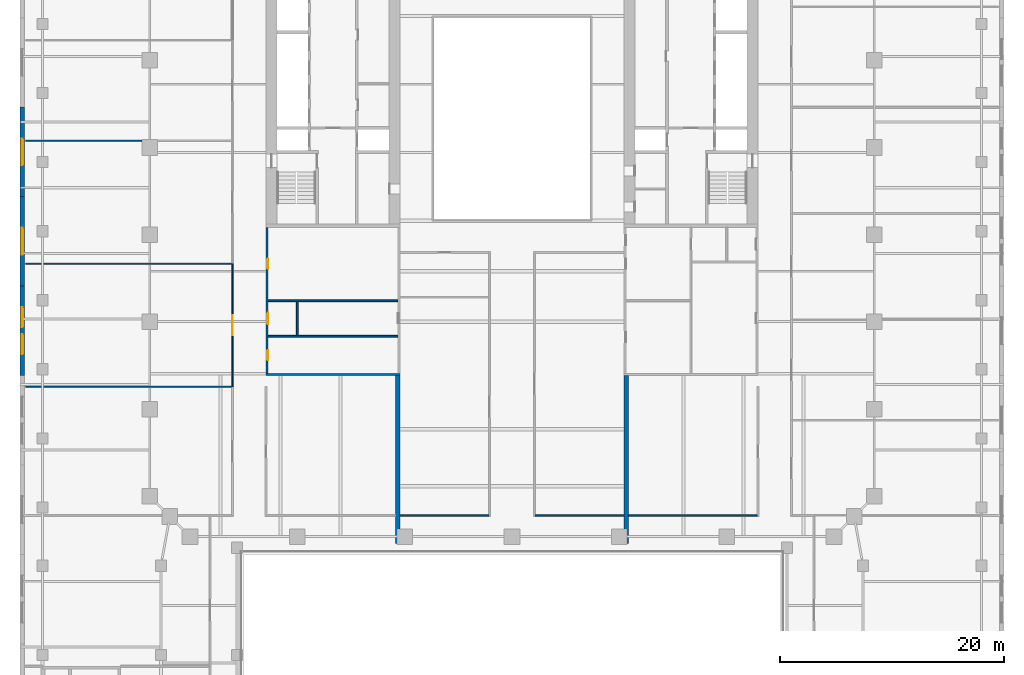
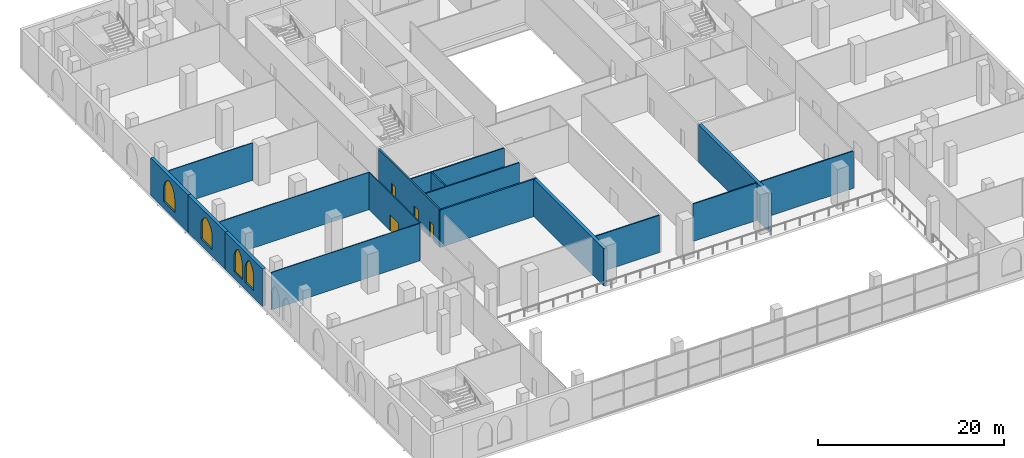
# One storey, part 10 of 22: 17 walls, 4 doors, 4 windows, 8 openings.
"""IFC4 building model written with IfcOpenShell, lengths in metres."""

import ifcopenshell
import ifcopenshell.guid

model = None  # the IFC model being written
_history = None  # IfcOwnerHistory: only IFC2X3 demands one
_inside = {}  # id of a spatial element -> (the spatial element, [elements in it])
_under = {}  # id of a project, library or spatial element -> (it, [spatial elements below it])
_declared = {}  # id of a project -> (the project, [libraries it declares])
_typed = {}  # id of a type object -> (the type object, [elements of that type])
_made_of = {}  # id of a material, layer set ... -> (it, [elements and type objects made of it])


def new_model(schema):
    """Start an empty IFC model of exactly this schema.

    Asked for "IFC4X3", IfcOpenShell would pick the latest addendum, in which some entities
    have other attributes; the version numbers below select the first issue.
    IFC2X3 requires an IfcOwnerHistory on every rooted entity: one is made here for all.
    """
    global model, _history
    if schema == "IFC4X3":
        model = ifcopenshell.file(schema_version=(4, 3, 0, 0))
    else:
        model = ifcopenshell.file(schema=schema)
    _inside.clear()
    _under.clear()
    _declared.clear()
    _typed.clear()
    _made_of.clear()
    _history = None
    if model.schema == "IFC2X3":
        org = make("IfcOrganization", Name="unknown")
        user = make(
            "IfcPersonAndOrganization",
            ThePerson=make("IfcPerson", FamilyName="unknown"),
            TheOrganization=org,
        )
        app = make(
            "IfcApplication",
            ApplicationDeveloper=org,
            Version="unknown",
            ApplicationFullName="unknown",
            ApplicationIdentifier="unknown",
        )
        _history = make(
            "IfcOwnerHistory",
            OwningUser=user,
            OwningApplication=app,
            ChangeAction="ADDED",
            CreationDate=0,
        )
    return model


def make(cls, **values):
    """One entity of the class cls with the attributes given. An attribute that is None is left unset."""
    return model.create_entity(
        cls, **{name: value for name, value in values.items() if value is not None}
    )


def rooted(cls, **values):
    """An entity with a GlobalId (a new one), such as an element, a storey or a relation."""
    return make(cls, GlobalId=ifcopenshell.guid.new(), OwnerHistory=_history, **values)


def si_unit(unit_type, name, prefix=None):
    """IfcSIUnit, for example si_unit("LENGTHUNIT", "METRE", prefix="MILLI")."""
    return make("IfcSIUnit", UnitType=unit_type, Prefix=prefix, Name=name)


def assignment(units):
    """IfcUnitAssignment: the units of a project."""
    return None if units is None else make("IfcUnitAssignment", Units=units)


def point(xyz):
    """IfcCartesianPoint."""
    return None if xyz is None else make("IfcCartesianPoint", Coordinates=xyz)


def direction(xyz):
    """IfcDirection."""
    return None if xyz is None else make("IfcDirection", DirectionRatios=xyz)


def frame(location, z_axis=None, x_axis=None):
    """IfcAxis2Placement3D, a coordinate frame: its origin and axes. An axis left out is left unset."""
    return make(
        "IfcAxis2Placement3D",
        Location=point(location),
        Axis=direction(z_axis),
        RefDirection=direction(x_axis),
    )


def frame_2d(location, x_axis=None):
    """IfcAxis2Placement2D, a coordinate frame in the plane: its origin and x axis."""
    return make(
        "IfcAxis2Placement2D", Location=point(location), RefDirection=direction(x_axis)
    )


def origin():
    """The frame at (0, 0, 0) with its axes left unset."""
    return frame((0.0, 0.0, 0.0))


def place(relative_to, where):
    """IfcLocalPlacement: puts the frame where relative to a parent placement (None: the world)."""
    return make(
        "IfcLocalPlacement", PlacementRelTo=relative_to, RelativePlacement=where
    )


def context(
    kind, dimensions, precision=None, world=None, true_north=None, identifier=None
):
    """IfcGeometricRepresentationContext, for example the 3D "Model" context."""
    return make(
        "IfcGeometricRepresentationContext",
        ContextIdentifier=identifier,
        ContextType=kind,
        CoordinateSpaceDimension=dimensions,
        Precision=precision,
        WorldCoordinateSystem=world,
        TrueNorth=true_north,
    )


def subcontext(parent, identifier, kind, view, scale=None):
    """IfcGeometricRepresentationSubContext, for example "Body" below "Model"."""
    return make(
        "IfcGeometricRepresentationSubContext",
        ContextIdentifier=identifier,
        ContextType=kind,
        ParentContext=parent,
        TargetScale=scale,
        TargetView=view,
    )


def project(units=None, contexts=None):
    """IfcProject with its units and contexts."""
    return rooted(
        "IfcProject",
        Name="project",
        RepresentationContexts=contexts,
        UnitsInContext=assignment(units),
    )


def spatial(cls, under=None, at=None, **own):
    """A site, building, storey or space (cls), placed at a placement, below another one or the project."""
    s = rooted(cls, ObjectPlacement=at, **own)
    if under is not None:
        _under.setdefault(under.id(), (under, []))[1].append(s)
    return s


def polyline(points):
    """IfcPolyline through the points."""
    return make("IfcPolyline", Points=[point(p) for p in points])


def profile(cls, at=None, kind="AREA", **sizes):
    """A parametric profile (cls). Its sizes go by their IFC names, for example OverallWidth=200.0."""
    return make(cls, ProfileType=kind, Position=at, **sizes)


def rectangle(**sizes):
    """IfcRectangleProfileDef."""
    return profile("IfcRectangleProfileDef", **sizes)


def outline(outer, holes=None, kind="AREA"):
    """IfcArbitraryClosedProfileDef: a profile drawn as a closed curve; with holes, ...WithVoids."""
    if holes is None:
        return make("IfcArbitraryClosedProfileDef", ProfileType=kind, OuterCurve=outer)
    return make(
        "IfcArbitraryProfileDefWithVoids",
        ProfileType=kind,
        OuterCurve=outer,
        InnerCurves=holes,
    )


def extrude(swept, where, along, depth):
    """IfcExtrudedAreaSolid: the profile swept, set in the frame where, extruded along a direction by depth."""
    return make(
        "IfcExtrudedAreaSolid",
        SweptArea=swept,
        Position=where,
        ExtrudedDirection=direction(along),
        Depth=depth,
    )


def shape(context_of_items, identifier, shape_type, items):
    """IfcShapeRepresentation: the items that make up one representation, for example the "Body"."""
    return make(
        "IfcShapeRepresentation",
        ContextOfItems=context_of_items,
        RepresentationIdentifier=identifier,
        RepresentationType=shape_type,
        Items=items,
    )


def material(Name=None, Category=None):
    """IfcMaterial."""
    return make("IfcMaterial", Name=Name, Category=Category)


def layer(
    of_material, thickness, ventilated=None, Name=None, Category=None, Priority=None
):
    """IfcMaterialLayer: one layer of a wall or slab, of a material (None: an air gap)."""
    return make(
        "IfcMaterialLayer",
        Material=of_material,
        LayerThickness=thickness,
        IsVentilated=ventilated,
        Name=Name,
        Category=Category,
        Priority=Priority,
    )


def layer_set(layers, Name=None):
    """IfcMaterialLayerSet."""
    return make("IfcMaterialLayerSet", MaterialLayers=layers, LayerSetName=Name)


def made_of(thing, what):
    """Note that an element or type object is made of a material, layer set ...; save() writes the relation."""
    if what is not None:
        _made_of.setdefault(what.id(), (what, []))[1].append(thing)
    return thing


def type_object(cls, material=None, **own):
    """A type object (cls), such as IfcWallType, which elements share."""
    return made_of(rooted(cls, **own), material)


def element(
    cls,
    number,
    at=None,
    inside=None,
    cuts=None,
    type_object=None,
    material=None,
    context=None,
    identifier="Body",
    shape_type=None,
    held_by="IfcProductDefinitionShape",
    body=None,
    shapes=None,
    **own,
):
    """One element of the class cls, such as IfcWall. Its Tag is "e" and its number.

    at: its placement. inside: the storey or other place that contains it. cuts: it is an
    opening in that element (IfcRelVoidsElement). A single representation is given by context,
    identifier, shape_type and body (its items); several are given by shapes. held_by: the class
    of the entity that holds the representations. save() writes the other relations.
    """
    e = rooted(cls, Tag="e%d" % number, ObjectPlacement=at, **own)
    if body is not None:
        shapes = [shape(context, identifier, shape_type, body)]
    if shapes is not None:
        e.Representation = make(held_by, Representations=shapes)
    if inside is not None:
        _inside.setdefault(inside.id(), (inside, []))[1].append(e)
    if cuts is not None:
        rooted(
            "IfcRelVoidsElement", RelatingBuildingElement=cuts, RelatedOpeningElement=e
        )
    if type_object is not None:
        _typed.setdefault(type_object.id(), (type_object, []))[1].append(e)
    return made_of(e, material)


def fill(opening, filler):
    """IfcRelFillsElement: the door or window that sits in an opening."""
    return rooted(
        "IfcRelFillsElement",
        RelatingOpeningElement=opening,
        RelatedBuildingElement=filler,
    )


def aggregate(whole, parts):
    """IfcRelAggregates: a whole, such as a stair, and the parts it consists of."""
    return rooted("IfcRelAggregates", RelatingObject=whole, RelatedObjects=parts)


def save(model, path):
    """Write the relations noted so far, then the file.

    IfcRelAggregates (storeys below a building ...), IfcRelContainedInSpatialStructure (elements
    in a storey), IfcRelDefinesByType, IfcRelAssociatesMaterial and IfcRelDeclares: one each for
    every whole, place, type object, material and project.
    """
    for whole, parts in _under.values():
        aggregate(whole, parts)
    for where, things in _inside.values():
        rooted(
            "IfcRelContainedInSpatialStructure",
            RelatedElements=things,
            RelatingStructure=where,
        )
    for kind, things in _typed.values():
        rooted("IfcRelDefinesByType", RelatedObjects=things, RelatingType=kind)
    for what, things in _made_of.values():
        rooted("IfcRelAssociatesMaterial", RelatedObjects=things, RelatingMaterial=what)
    for by, libraries in _declared.values():
        rooted("IfcRelDeclares", RelatingContext=by, RelatedDefinitions=libraries)
    model.write(path)


model = new_model("IFC4")

# Units and contexts
model_context = context("Model", 3, precision=1e-05, world=origin(), true_north=direction((0.0, 1.0)))
body_context = subcontext(model_context, "Body", "Model", "MODEL_VIEW")
ifc_project = project(units=[si_unit("LENGTHUNIT", "METRE"), si_unit("AREAUNIT", "SQUARE_METRE"), si_unit("VOLUMEUNIT", "CUBIC_METRE"), si_unit("PLANEANGLEUNIT", "RADIAN"), si_unit("MASSUNIT", "GRAM", prefix="KILO")], contexts=[model_context])

# Site, building, storey
site_placement = place(None, origin())
site = spatial("IfcSite", under=ifc_project, at=site_placement, CompositionType="ELEMENT")
building_placement = place(site_placement, origin())
building = spatial("IfcBuilding", under=site, at=building_placement, Name="Ogive Exchange Tower", CompositionType="ELEMENT")
storey_placement = place(building_placement, frame((0.0, 0.0, 14.0)))
storey = spatial("IfcBuildingStorey", under=building, at=storey_placement, Name="L02", CompositionType="ELEMENT", Elevation=14.0)

# Walls
ifc_material_1 = material(Name="Concrete C70/85", Category="concrete")
ifc_layer_1 = layer(ifc_material_1, 0.39990234375)
ifc_layer_set_1 = layer_set([ifc_layer_1], Name="Concrete C70/85 spine wall 400")
wall_type_1 = type_object("IfcWallType", Name="Concrete C70/85 spine wall 400", PredefinedType="SHEAR", material=ifc_layer_set_1)
for number, where, z_axis, x_axis, name in (
    (1, (-10.199951171875, -31.0, 0.0), (0.0, 0.0, 1.0), (0.0, 1.0, 0.0), "Spine wall SW"),
    (2, (10.199951171875, -31.0, 0.0), (0.0, 0.0, 1.0), (0.0, 1.0, 0.0), "Spine wall SE"),
):
    element("IfcWall", number, at=place(storey_placement, frame(where, z_axis=z_axis, x_axis=x_axis)), inside=storey, type_object=wall_type_1, Name=name, PredefinedType="SHEAR", context=body_context, shape_type="SweptSolid", body=[
        extrude(rectangle(XDim=15.0, YDim=0.39990234375, at=frame_2d((7.5, 0.0))), origin(), (0.0, 0.0, 1.0), 4.89990234375),
    ])
ifc_material_2 = material(Name="Gypsum board partition")
ifc_layer_2 = layer(ifc_material_2, 0.14990234375)
ifc_layer_set_2 = layer_set([ifc_layer_2], Name="Core room partition 150 gypsum")
wall_type_2 = type_object("IfcWallType", Name="Core room partition 150 gypsum", PredefinedType="PARTITIONING", material=ifc_layer_set_2)
for number, where, z_axis, x_axis, name in (
    (3, (-21.800048828125, -9.300048828125, 0.0), (0.0, 0.0, 1.0), (1.0, 0.0, 0.0), "W annex S cross wall"),
    (4, (-21.800048828125, -12.47509765625, 0.0), (0.0, 0.0, 1.0), (1.0, 0.0, 0.0), "W annex S wc strip wall 00"),
):
    element("IfcWall", number, at=place(storey_placement, frame(where, z_axis=z_axis, x_axis=x_axis)), inside=storey, type_object=wall_type_2, Name=name, PredefinedType="PARTITIONING", context=body_context, shape_type="SweptSolid", body=[
        extrude(rectangle(XDim=11.60009765625, YDim=0.14990234375, at=frame_2d((5.800048828125, 0.0))), origin(), (0.0, 0.0, 1.0), 4.89990234375),
    ])
wall_1_placement = place(storey_placement, frame((-19.199951171875, -12.39990234375, 0.0), z_axis=(0.0, 0.0, 1.0), x_axis=(0.0, 1.0, 0.0)))
element("IfcWall", 5, at=wall_1_placement, inside=storey, type_object=wall_type_2, Name="W annex S wc partition 00", PredefinedType="PARTITIONING", context=body_context, shape_type="SweptSolid", body=[
    extrude(rectangle(XDim=3.02490234375, YDim=0.14990234375, at=frame_2d((1.512451171875, 0.0))), origin(), (0.0, 0.0, 1.0), 4.89990234375),
])
ifc_material_3 = material(Name="Fire partition EI 60 150")
ifc_layer_3 = layer(ifc_material_3, 0.14990234375)
ifc_layer_set_3 = layer_set([ifc_layer_3], Name="Fire partition EI 60 150")
wall_type_3 = type_object("IfcWallType", Name="Fire partition EI 60 150", PredefinedType="PARTITIONING", material=ifc_layer_set_3)
for number, where, z_axis, x_axis, name in (
    (6, (-10.0, -28.5, 0.0), (0.0, 0.0, 1.0), (1.0, 0.0, 0.0), "L02-PWL-009"),
    (7, (2.074951171875, -28.5, 0.0), (0.0, 0.0, 1.0), (1.0, 0.0, 0.0), "L02-PWL-010"),
):
    element("IfcWall", number, at=place(storey_placement, frame(where, z_axis=z_axis, x_axis=x_axis)), inside=storey, type_object=wall_type_3, Name=name, PredefinedType="PARTITIONING", context=body_context, shape_type="SweptSolid", body=[
        extrude(rectangle(XDim=7.925048828125, YDim=0.14990234375, at=frame_2d((3.96240234375, 0.0))), origin(), (0.0, 0.0, 1.0), 4.89990234375),
    ])
wall_2_placement = place(storey_placement, frame((10.39990234375, -28.5, 0.0), z_axis=(0.0, 0.0, 1.0), x_axis=(1.0, 0.0, 0.0)))
element("IfcWall", 8, at=wall_2_placement, inside=storey, type_object=wall_type_3, Name="L02-PWL-011", PredefinedType="PARTITIONING", context=body_context, shape_type="SweptSolid", body=[
    extrude(rectangle(XDim=11.525146484375, YDim=0.14990234375, at=frame_2d((5.7626953125, 0.0))), origin(), (0.0, 0.0, 1.0), 4.89990234375),
])

# Wall, opening, door
ifc_material_4 = material(Name="Glazed fire partition EI 60 120")
ifc_layer_4 = layer(ifc_material_4, 0.1201171875)
ifc_layer_set_4 = layer_set([ifc_layer_4], Name="Glazed fire partition EI 60 120")
wall_type_4 = type_object("IfcWallType", Name="Glazed fire partition EI 60 120", PredefinedType="PARTITIONING", material=ifc_layer_set_4)
wall_3_placement = place(storey_placement, frame((-25.0, -17.0, 0.0), z_axis=(0.0, 0.0, 1.0), x_axis=(0.0, 1.0, 0.0)))
wall_3 = element("IfcWall", 9, at=wall_3_placement, inside=storey, type_object=wall_type_4, Name="L02-PWL-042", PredefinedType="PARTITIONING", context=body_context, shape_type="SweptSolid", body=[
    extrude(rectangle(XDim=11.0, YDim=0.1201171875, at=frame_2d((5.5, 0.0))), origin(), (0.0, 0.0, 1.0), 4.89990234375),
])
opening_1_placement = place(wall_3_placement, frame((4.60009765625, 0.0, 0.0)))
opening_1 = element("IfcOpeningElement", 10, at=opening_1_placement, cuts=wall_3, Name="Opening L02-I04", PredefinedType="OPENING", context=body_context, shape_type="SweptSolid", body=[
    extrude(rectangle(XDim=1.800048828125, YDim=2.10009765625, at=frame_2d((0.89990234375, 1.050048828125))), frame((0.0, 0.070068359375, 0.0), z_axis=(0.0, -1.0, 0.0), x_axis=(1.0, 0.0, 0.0)), (0.0, 0.0, 1.0), 0.14013671875),
])
ifc_material_5 = material(Name="Fire door FD 30S 1800 x 2100")
door_type_1 = type_object("IfcDoorType", Name="Fire door FD 30S 1800 x 2100", OperationType="DOUBLE_DOOR_SINGLE_SWING", PredefinedType="DOOR", material=ifc_material_5)
door_1_placement = place(opening_1_placement, origin())
door_1 = element("IfcDoor", 11, at=door_1_placement, inside=storey, type_object=door_type_1, Name="L02-IDR-004", ObjectType="DT4", OperationType="SINGLE_SWING_RIGHT", OverallHeight=2.10009765625, OverallWidth=1.800048828125, PredefinedType="DOOR", context=body_context, shape_type="SweptSolid", body=[
    extrude(rectangle(XDim=1.800048828125, YDim=2.10009765625, at=frame_2d((0.89990234375, 1.050048828125))), frame((0.0, 0.02490234375, 0.0), z_axis=(0.0, -1.0, 0.0), x_axis=(1.0, 0.0, 0.0)), (0.0, 0.0, 1.0), 0.050048828125),
])
fill(opening_1, door_1)

# Wall, opening, window
ifc_material_6 = material(Name="Precast concrete C40/50", Category="concrete")
ifc_layer_5 = layer(ifc_material_6, 0.39990234375)
ifc_layer_set_5 = layer_set([ifc_layer_5], Name="Limestone-faced wall 400")
wall_type_5 = type_object("IfcWallType", Name="Limestone-faced wall 400", PredefinedType="STANDARD", material=ifc_layer_set_5)
wall_4_placement = place(storey_placement, frame((-43.800048828125, 8.0, 0.0), z_axis=(0.0, 0.0, 1.0), x_axis=(0.0, -1.0, 0.0)))
wall_4 = element("IfcWall", 12, at=wall_4_placement, inside=storey, type_object=wall_type_5, Name="Podium wall W5", PredefinedType="STANDARD", context=body_context, shape_type="SweptSolid", body=[
    extrude(rectangle(XDim=8.0, YDim=0.39990234375, at=frame_2d((4.0, 0.0))), origin(), (0.0, 0.0, 1.0), 4.89990234375),
])
opening_2_placement = place(wall_4_placement, frame((2.800048828125, 0.0, 0.89990234375)))
opening_2 = element("IfcOpeningElement", 13, at=opening_2_placement, cuts=wall_4, Name="Opening WP340", PredefinedType="OPENING", context=body_context, shape_type="SweptSolid", body=[
    extrude(outline(polyline([(0.0, 0.0), (2.39990234375, 0.0), (2.39990234375, 1.699951171875), (2.378662109375, 1.97607421875), (2.3154296875, 2.24560546875), (2.211669921875, 2.50244140625), (2.069580078125, 2.740234375), (1.89306640625, 2.95361328125), (1.685791015625, 3.137451171875), (1.453125, 3.287353515625), (1.199951171875, 3.39990234375), (0.94677734375, 3.287353515625), (0.714111328125, 3.137451171875), (0.5068359375, 2.95361328125), (0.330322265625, 2.740234375), (0.188232421875, 2.50244140625), (0.08447265625, 2.24560546875), (0.021240234375, 1.97607421875), (0.0, 1.699951171875), (0.0, 0.0)])), frame((0.0, 0.2099609375, 0.0), z_axis=(0.0, -1.0, 0.0), x_axis=(1.0, 0.0, 0.0)), (0.0, 0.0, 1.0), 0.419921875),
])
ifc_material_7 = material(Name="Clear glass in bronze frame", Category="glass")
window_type_1 = type_object("IfcWindowType", Name="Podium lancet window 2400 x 3400", PartitioningType="DOUBLE_PANEL_VERTICAL", PredefinedType="WINDOW", material=ifc_material_7)
window_1_placement = place(opening_2_placement, origin())
window_1 = element("IfcWindow", 14, at=window_1_placement, inside=storey, type_object=window_type_1, Name="Podium window W5", OverallHeight=3.39990234375, OverallWidth=2.39990234375, PartitioningType="DOUBLE_PANEL_VERTICAL", PredefinedType="WINDOW", context=body_context, shape_type="SweptSolid", body=[
    extrude(outline(polyline([(0.0, 0.0), (2.39990234375, 0.0), (2.39990234375, 1.699951171875), (2.378662109375, 1.97607421875), (2.3154296875, 2.24560546875), (2.211669921875, 2.50244140625), (2.069580078125, 2.740234375), (1.89306640625, 2.95361328125), (1.685791015625, 3.137451171875), (1.453125, 3.287353515625), (1.199951171875, 3.39990234375), (0.94677734375, 3.287353515625), (0.714111328125, 3.137451171875), (0.5068359375, 2.95361328125), (0.330322265625, 2.740234375), (0.188232421875, 2.50244140625), (0.08447265625, 2.24560546875), (0.021240234375, 1.97607421875), (0.0, 1.699951171875), (0.0, 0.0)])), frame((0.0, 0.030029296875, 0.0), z_axis=(0.0, -1.0, 0.0), x_axis=(1.0, 0.0, 0.0)), (0.0, 0.0, 1.0), 0.06005859375),
])
fill(opening_2, window_1)

wall_5_placement = place(storey_placement, frame((-43.800048828125, 0.0, 0.0), z_axis=(0.0, 0.0, 1.0), x_axis=(0.0, -1.0, 0.0)))
wall_5 = element("IfcWall", 15, at=wall_5_placement, inside=storey, type_object=wall_type_5, Name="Podium wall W6", PredefinedType="STANDARD", context=body_context, shape_type="SweptSolid", body=[
    extrude(rectangle(XDim=8.0, YDim=0.39990234375, at=frame_2d((4.0, 0.0))), origin(), (0.0, 0.0, 1.0), 4.89990234375),
])
opening_3_placement = place(wall_5_placement, frame((2.800048828125, 0.0, 0.89990234375)))
opening_3 = element("IfcOpeningElement", 16, at=opening_3_placement, cuts=wall_5, Name="Opening WP340", PredefinedType="OPENING", context=body_context, shape_type="SweptSolid", body=[
    extrude(outline(polyline([(0.0, 0.0), (2.39990234375, 0.0), (2.39990234375, 1.699951171875), (2.378662109375, 1.97607421875), (2.3154296875, 2.24560546875), (2.211669921875, 2.50244140625), (2.069580078125, 2.740234375), (1.89306640625, 2.95361328125), (1.685791015625, 3.137451171875), (1.453125, 3.287353515625), (1.199951171875, 3.39990234375), (0.94677734375, 3.287353515625), (0.714111328125, 3.137451171875), (0.5068359375, 2.95361328125), (0.330322265625, 2.740234375), (0.188232421875, 2.50244140625), (0.08447265625, 2.24560546875), (0.021240234375, 1.97607421875), (0.0, 1.699951171875), (0.0, 0.0)])), frame((0.0, 0.2099609375, 0.0), z_axis=(0.0, -1.0, 0.0), x_axis=(1.0, 0.0, 0.0)), (0.0, 0.0, 1.0), 0.419921875),
])
window_2_placement = place(opening_3_placement, origin())
window_2 = element("IfcWindow", 17, at=window_2_placement, inside=storey, type_object=window_type_1, Name="Podium window W6", OverallHeight=3.39990234375, OverallWidth=2.39990234375, PartitioningType="DOUBLE_PANEL_VERTICAL", PredefinedType="WINDOW", context=body_context, shape_type="SweptSolid", body=[
    extrude(outline(polyline([(0.0, 0.0), (2.39990234375, 0.0), (2.39990234375, 1.699951171875), (2.378662109375, 1.97607421875), (2.3154296875, 2.24560546875), (2.211669921875, 2.50244140625), (2.069580078125, 2.740234375), (1.89306640625, 2.95361328125), (1.685791015625, 3.137451171875), (1.453125, 3.287353515625), (1.199951171875, 3.39990234375), (0.94677734375, 3.287353515625), (0.714111328125, 3.137451171875), (0.5068359375, 2.95361328125), (0.330322265625, 2.740234375), (0.188232421875, 2.50244140625), (0.08447265625, 2.24560546875), (0.021240234375, 1.97607421875), (0.0, 1.699951171875), (0.0, 0.0)])), frame((0.0, 0.030029296875, 0.0), z_axis=(0.0, -1.0, 0.0), x_axis=(1.0, 0.0, 0.0)), (0.0, 0.0, 1.0), 0.06005859375),
])
fill(opening_3, window_2)

# Wall, openings, windows
wall_6_placement = place(storey_placement, frame((-43.800048828125, -8.0, 0.0), z_axis=(0.0, 0.0, 1.0), x_axis=(0.0, -1.0, 0.0)))
wall_6 = element("IfcWall", 18, at=wall_6_placement, inside=storey, type_object=wall_type_5, Name="Podium wall W7", PredefinedType="STANDARD", context=body_context, shape_type="SweptSolid", body=[
    extrude(rectangle(XDim=8.0, YDim=0.39990234375, at=frame_2d((4.0, 0.0))), origin(), (0.0, 0.0, 1.0), 4.89990234375),
])
opening_4_placement = place(wall_6_placement, frame((1.89990234375, 0.0, 0.89990234375)))
opening_4 = element("IfcOpeningElement", 19, at=opening_4_placement, cuts=wall_6, Name="Opening WQ340", PredefinedType="OPENING", context=body_context, shape_type="SweptSolid", body=[
    extrude(outline(polyline([(0.0, 0.0), (1.800048828125, 0.0), (1.800048828125, 1.841064453125), (1.78466796875, 2.075927734375), (1.73876953125, 2.306884765625), (1.6630859375, 2.52978515625), (1.558837890625, 2.740966796875), (1.427978515625, 2.936767578125), (1.272705078125, 3.11376953125), (1.095703125, 3.26904296875), (0.89990234375, 3.39990234375), (0.704345703125, 3.26904296875), (0.52734375, 3.11376953125), (0.3720703125, 2.936767578125), (0.2412109375, 2.740966796875), (0.136962890625, 2.52978515625), (0.061279296875, 2.306884765625), (0.015380859375, 2.075927734375), (0.0, 1.841064453125), (0.0, 0.0)])), frame((0.0, 0.2099609375, 0.0), z_axis=(0.0, -1.0, 0.0), x_axis=(1.0, 0.0, 0.0)), (0.0, 0.0, 1.0), 0.419921875),
])
opening_5_placement = place(wall_6_placement, frame((4.300048828125, 0.0, 0.89990234375)))
opening_5 = element("IfcOpeningElement", 20, at=opening_5_placement, cuts=wall_6, Name="Opening WQ340", PredefinedType="OPENING", context=body_context, shape_type="SweptSolid", body=[
    extrude(outline(polyline([(0.0, 0.0), (1.800048828125, 0.0), (1.800048828125, 1.841064453125), (1.78466796875, 2.075927734375), (1.73876953125, 2.306884765625), (1.6630859375, 2.52978515625), (1.558837890625, 2.740966796875), (1.427978515625, 2.936767578125), (1.272705078125, 3.11376953125), (1.095703125, 3.26904296875), (0.89990234375, 3.39990234375), (0.704345703125, 3.26904296875), (0.52734375, 3.11376953125), (0.3720703125, 2.936767578125), (0.2412109375, 2.740966796875), (0.136962890625, 2.52978515625), (0.061279296875, 2.306884765625), (0.015380859375, 2.075927734375), (0.0, 1.841064453125), (0.0, 0.0)])), frame((0.0, 0.2099609375, 0.0), z_axis=(0.0, -1.0, 0.0), x_axis=(1.0, 0.0, 0.0)), (0.0, 0.0, 1.0), 0.419921875),
])
window_type_2 = type_object("IfcWindowType", Name="Podium paired lancet 1800 x 3400", PartitioningType="DOUBLE_PANEL_VERTICAL", PredefinedType="WINDOW", material=ifc_material_7)
window_3_placement = place(opening_4_placement, origin())
window_3 = element("IfcWindow", 21, at=window_3_placement, inside=storey, type_object=window_type_2, Name="Podium paired lancet W7.1", OverallHeight=3.39990234375, OverallWidth=1.800048828125, PartitioningType="DOUBLE_PANEL_VERTICAL", PredefinedType="WINDOW", context=body_context, shape_type="SweptSolid", body=[
    extrude(outline(polyline([(0.0, 0.0), (1.800048828125, 0.0), (1.800048828125, 1.841064453125), (1.78466796875, 2.075927734375), (1.73876953125, 2.306884765625), (1.6630859375, 2.52978515625), (1.558837890625, 2.740966796875), (1.427978515625, 2.936767578125), (1.272705078125, 3.11376953125), (1.095703125, 3.26904296875), (0.89990234375, 3.39990234375), (0.704345703125, 3.26904296875), (0.52734375, 3.11376953125), (0.3720703125, 2.936767578125), (0.2412109375, 2.740966796875), (0.136962890625, 2.52978515625), (0.061279296875, 2.306884765625), (0.015380859375, 2.075927734375), (0.0, 1.841064453125), (0.0, 0.0)])), frame((0.0, 0.030029296875, 0.0), z_axis=(0.0, -1.0, 0.0), x_axis=(1.0, 0.0, 0.0)), (0.0, 0.0, 1.0), 0.06005859375),
])
fill(opening_4, window_3)
window_4_placement = place(opening_5_placement, origin())
window_4 = element("IfcWindow", 22, at=window_4_placement, inside=storey, type_object=window_type_2, Name="Podium paired lancet W7.2", OverallHeight=3.39990234375, OverallWidth=1.800048828125, PartitioningType="DOUBLE_PANEL_VERTICAL", PredefinedType="WINDOW", context=body_context, shape_type="SweptSolid", body=[
    extrude(outline(polyline([(0.0, 0.0), (1.800048828125, 0.0), (1.800048828125, 1.841064453125), (1.78466796875, 2.075927734375), (1.73876953125, 2.306884765625), (1.6630859375, 2.52978515625), (1.558837890625, 2.740966796875), (1.427978515625, 2.936767578125), (1.272705078125, 3.11376953125), (1.095703125, 3.26904296875), (0.89990234375, 3.39990234375), (0.704345703125, 3.26904296875), (0.52734375, 3.11376953125), (0.3720703125, 2.936767578125), (0.2412109375, 2.740966796875), (0.136962890625, 2.52978515625), (0.061279296875, 2.306884765625), (0.015380859375, 2.075927734375), (0.0, 1.841064453125), (0.0, 0.0)])), frame((0.0, 0.030029296875, 0.0), z_axis=(0.0, -1.0, 0.0), x_axis=(1.0, 0.0, 0.0)), (0.0, 0.0, 1.0), 0.06005859375),
])
fill(opening_5, window_4)

# Walls
ifc_material_8 = material(Name="Partition 100 gypsum")
ifc_layer_6 = layer(ifc_material_8, 0.10009765625)
ifc_layer_set_6 = layer_set([ifc_layer_6], Name="Partition 100 gypsum")
wall_type_6 = type_object("IfcWallType", Name="Partition 100 gypsum", PredefinedType="PARTITIONING", material=ifc_layer_set_6)
wall_7_placement = place(storey_placement, frame((-43.5, -17.0, 0.0), z_axis=(0.0, 0.0, 1.0), x_axis=(1.0, 0.0, 0.0)))
element("IfcWall", 23, at=wall_7_placement, inside=storey, type_object=wall_type_6, Name="L02-PWL-016", PredefinedType="PARTITIONING", context=body_context, shape_type="SweptSolid", body=[
    extrude(rectangle(XDim=18.425048828125, YDim=0.10009765625, at=frame_2d((9.21240234375, 0.0))), origin(), (0.0, 0.0, 1.0), 4.89990234375),
])
wall_8_placement = place(storey_placement, frame((-43.5, -6.0, 0.0), z_axis=(0.0, 0.0, 1.0), x_axis=(1.0, 0.0, 0.0)))
element("IfcWall", 24, at=wall_8_placement, inside=storey, type_object=wall_type_6, Name="L02-PWL-020", PredefinedType="PARTITIONING", context=body_context, shape_type="SweptSolid", body=[
    extrude(rectangle(XDim=18.43994140625, YDim=0.10009765625, at=frame_2d((9.219970703125, 0.0))), origin(), (0.0, 0.0, 1.0), 4.89990234375),
])
wall_9_placement = place(storey_placement, frame((-43.5, 5.0, 0.0), z_axis=(0.0, 0.0, 1.0), x_axis=(1.0, 0.0, 0.0)))
element("IfcWall", 25, at=wall_9_placement, inside=storey, type_object=wall_type_6, Name="L02-PWL-024", PredefinedType="PARTITIONING", context=body_context, shape_type="SweptSolid", body=[
    extrude(rectangle(XDim=10.39990234375, YDim=0.10009765625, at=frame_2d((5.199951171875, 0.0))), origin(), (0.0, 0.0, 1.0), 4.89990234375),
])

# Wall, openings, doors
ifc_layer_7 = layer(ifc_material_1, 0.199951171875)
ifc_layer_set_7 = layer_set([ifc_layer_7], Name="RC core wall 200 C70/85")
wall_type_7 = type_object("IfcWallType", Name="RC core wall 200 C70/85", PredefinedType="SHEAR", material=ifc_layer_set_7)
wall_10_placement = place(storey_placement, frame((-21.89990234375, -15.800048828125, 0.0), z_axis=(0.0, 0.0, 1.0), x_axis=(0.0, 1.0, 0.0)))
wall_10 = element("IfcWall", 26, at=wall_10_placement, inside=storey, type_object=wall_type_7, Name="W annex S outer wall", PredefinedType="SHEAR", context=body_context, shape_type="SweptSolid", body=[
    extrude(rectangle(XDim=13.050048828125, YDim=0.199951171875, at=frame_2d((6.52490234375, 0.0))), origin(), (0.0, 0.0, 1.0), 4.89990234375),
])
opening_6_placement = place(wall_10_placement, frame((1.175048828125, 0.0, 0.0)))
opening_6 = element("IfcOpeningElement", 27, at=opening_6_placement, cuts=wall_10, Name="Opening L02-C18", PredefinedType="OPENING", context=body_context, shape_type="SweptSolid", body=[
    extrude(rectangle(XDim=0.89990234375, YDim=2.10009765625, at=frame_2d((0.449951171875, 1.050048828125))), frame((0.0, 0.10986328125, 0.0), z_axis=(0.0, -1.0, 0.0), x_axis=(1.0, 0.0, 0.0)), (0.0, 0.0, 1.0), 0.219970703125),
])
opening_7_placement = place(wall_10_placement, frame((4.41259765625, 0.0, 0.0)))
opening_7 = element("IfcOpeningElement", 28, at=opening_7_placement, cuts=wall_10, Name="Opening L02-C19", PredefinedType="OPENING", context=body_context, shape_type="SweptSolid", body=[
    extrude(rectangle(XDim=1.0, YDim=2.10009765625, at=frame_2d((0.5, 1.050048828125))), frame((0.0, 0.10986328125, 0.0), z_axis=(0.0, -1.0, 0.0), x_axis=(1.0, 0.0, 0.0)), (0.0, 0.0, 1.0), 0.219970703125),
])
opening_8_placement = place(wall_10_placement, frame((9.362548828125, 0.0, 0.0)))
opening_8 = element("IfcOpeningElement", 29, at=opening_8_placement, cuts=wall_10, Name="Opening L02-C21", PredefinedType="OPENING", context=body_context, shape_type="SweptSolid", body=[
    extrude(rectangle(XDim=0.89990234375, YDim=2.10009765625, at=frame_2d((0.449951171875, 1.050048828125))), frame((0.0, 0.10986328125, 0.0), z_axis=(0.0, -1.0, 0.0), x_axis=(1.0, 0.0, 0.0)), (0.0, 0.0, 1.0), 0.219970703125),
])
ifc_material_9 = material(Name="Timber fire door", Category="wood")
door_type_2 = type_object("IfcDoorType", Name="Accessible WC door FD30S 1000 x 2100", OperationType="NOTDEFINED", PredefinedType="DOOR", material=ifc_material_9)
door_2_placement = place(opening_7_placement, frame((1.0, -0.14990234375, 0.0), z_axis=(0.0, 0.0, 1.0), x_axis=(-1.0, 0.0, 0.0)))
door_2 = element("IfcDoor", 30, at=door_2_placement, inside=storey, type_object=door_type_2, Name="Accessible WC door", ObjectType="CD7", OperationType="SINGLE_SWING_LEFT", OverallHeight=2.10009765625, OverallWidth=1.0, PredefinedType="DOOR", context=body_context, shape_type="SweptSolid", body=[
    extrude(rectangle(XDim=1.0, YDim=2.10009765625, at=frame_2d((0.5, 1.050048828125))), frame((0.0, -0.0498046875, 0.0), z_axis=(0.0, -1.0, 0.0), x_axis=(1.0, 0.0, 0.0)), (0.0, 0.0, 1.0), 0.050048828125),
])
fill(opening_7, door_2)
door_type_3 = type_object("IfcDoorType", Name="Core room door FD30S 900 x 2100", OperationType="NOTDEFINED", PredefinedType="DOOR", material=ifc_material_9)
door_3_placement = place(opening_6_placement, frame((0.89990234375, -0.14990234375, 0.0), z_axis=(0.0, 0.0, 1.0), x_axis=(-1.0, 0.0, 0.0)))
door_3 = element("IfcDoor", 31, at=door_3_placement, inside=storey, type_object=door_type_3, Name="Core room door", ObjectType="CD6", OperationType="SINGLE_SWING_LEFT", OverallHeight=2.10009765625, OverallWidth=0.89990234375, PredefinedType="DOOR", context=body_context, shape_type="SweptSolid", body=[
    extrude(rectangle(XDim=0.89990234375, YDim=2.10009765625, at=frame_2d((0.449951171875, 1.050048828125))), frame((0.0, -0.0498046875, 0.0), z_axis=(0.0, -1.0, 0.0), x_axis=(1.0, 0.0, 0.0)), (0.0, 0.0, 1.0), 0.050048828125),
])
fill(opening_6, door_3)
ifc_material_10 = material(Name="Steel fire door", Category="steel")
door_type_4 = type_object("IfcDoorType", Name="Riser door FD60 900 x 2100", OperationType="NOTDEFINED", PredefinedType="DOOR", material=ifc_material_10)
door_4_placement = place(opening_8_placement, frame((0.89990234375, -0.14990234375, 0.0), z_axis=(0.0, 0.0, 1.0), x_axis=(-1.0, 0.0, 0.0)))
door_4 = element("IfcDoor", 32, at=door_4_placement, inside=storey, type_object=door_type_4, Name="Riser door", ObjectType="CD2", OperationType="SINGLE_SWING_RIGHT", OverallHeight=2.10009765625, OverallWidth=0.89990234375, PredefinedType="DOOR", context=body_context, shape_type="SweptSolid", body=[
    extrude(rectangle(XDim=0.89990234375, YDim=2.10009765625, at=frame_2d((0.449951171875, 1.050048828125))), frame((0.0, -0.0498046875, 0.0), z_axis=(0.0, -1.0, 0.0), x_axis=(1.0, 0.0, 0.0)), (0.0, 0.0, 1.0), 0.050048828125),
])
fill(opening_8, door_4)

# Wall
wall_11_placement = place(storey_placement, frame((-22.0, -15.89990234375, 0.0), z_axis=(0.0, 0.0, 1.0), x_axis=(1.0, 0.0, 0.0)))
element("IfcWall", 33, at=wall_11_placement, inside=storey, type_object=wall_type_7, Name="W annex S end wall", PredefinedType="SHEAR", context=body_context, shape_type="SweptSolid", body=[
    extrude(rectangle(XDim=12.0, YDim=0.199951171875, at=frame_2d((6.0, 0.0))), origin(), (0.0, 0.0, 1.0), 4.89990234375),
])

save(model, "model.ifc")
